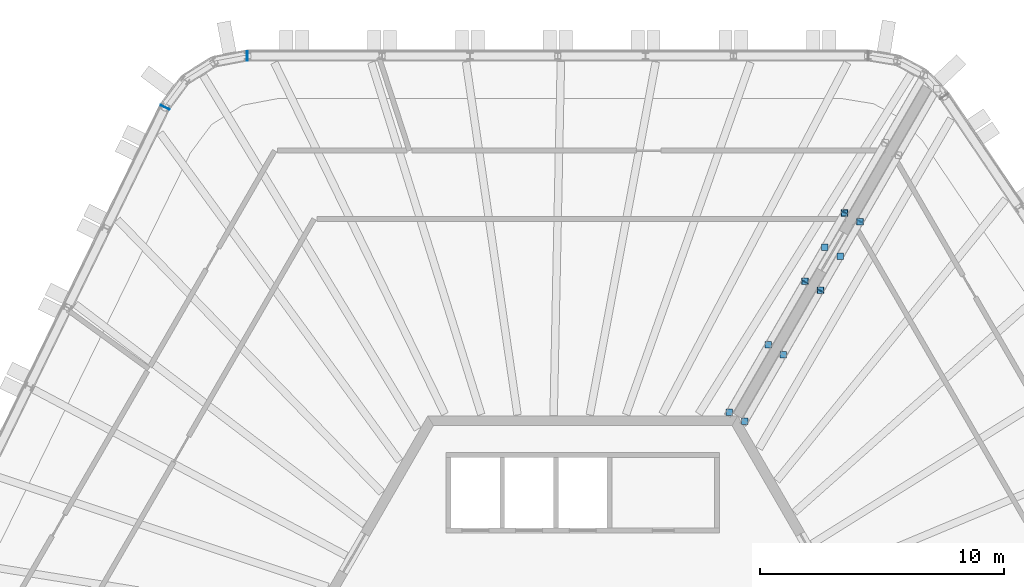
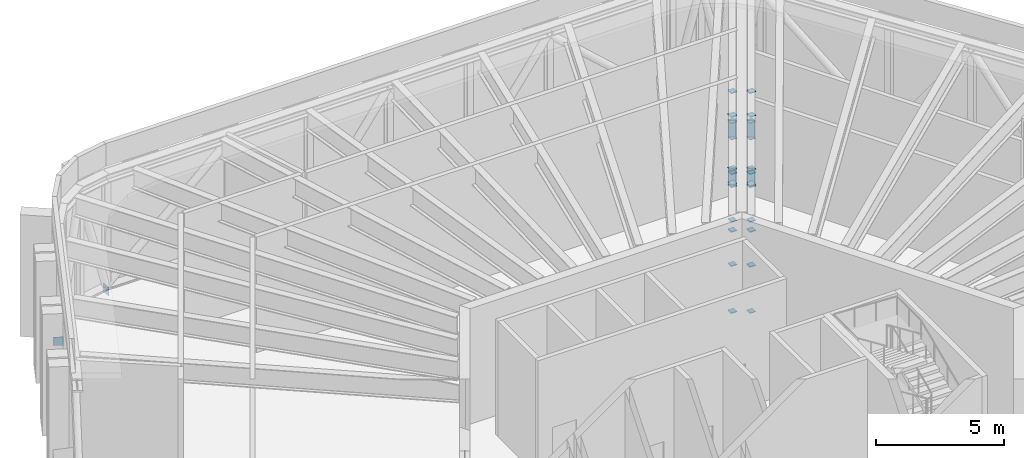
# One storey, part 16 of 19: 30 discrete accessories.
"""IFC4 building model written with IfcOpenShell, lengths in metres."""

from ifc_helpers import new_model, si_unit, direction, frame, origin, origin_2d, place, context, subcontext, project, spatial, rectangle, extrude, material, type_object, element, save


model = new_model("IFC4")

# Units and contexts
model_context = context("Model", 3, precision=1e-05, world=origin(), true_north=direction((0.0, 1.0)))
body_context = subcontext(model_context, "Body", "Model", "MODEL_VIEW")
ifc_project = project(units=[si_unit("LENGTHUNIT", "METRE"), si_unit("AREAUNIT", "SQUARE_METRE"), si_unit("VOLUMEUNIT", "CUBIC_METRE"), si_unit("PLANEANGLEUNIT", "RADIAN"), si_unit("MASSUNIT", "GRAM", prefix="KILO")], contexts=[model_context])

# Site, building, storey
site_placement = place(None, origin())
site = spatial("IfcSite", under=ifc_project, at=site_placement, CompositionType="ELEMENT")
building_placement = place(site_placement, origin())
building = spatial("IfcBuilding", under=site, at=building_placement, Name="Tarnside Tower", CompositionType="ELEMENT")
storey_placement = place(building_placement, frame((0.0, 0.0, 343.5)))
storey = spatial("IfcBuildingStorey", under=building, at=storey_placement, Name="L83", CompositionType="ELEMENT", Elevation=343.5)

# Discrete accessories
ifc_material = material(Name="Steel S355", Category="steel")
discrete_accessory_type_1 = type_object("IfcDiscreteAccessoryType", Name="Cast-in plate L83 belt truss chord end", PredefinedType="USERDEFINED", material=ifc_material)
for number, where, z_axis, x_axis, name in (
    (1, (-13.7470703125, 25.75, -0.300048828125), (0.0, 0.0, 1.0), (-1.0, 0.0, 0.0), "Cast-in plate run L83 B"),
    (2, (-17.11767578125, 23.643798828125, -0.300048828125), (0.0, 0.0, 1.0), (-0.438371146789, -0.898794046299, 0.0), "Cast-in plate run L83 A"),
):
    element("IfcDiscreteAccessory", number, at=place(storey_placement, frame(where, z_axis=z_axis, x_axis=x_axis)), inside=storey, type_object=discrete_accessory_type_1, Name=name, ObjectType="Cast-in plate", PredefinedType="USERDEFINED", context=body_context, shape_type="SweptSolid", body=[
        extrude(rectangle(XDim=0.030029296875, YDim=0.39892578125, at=origin_2d()), origin(), (0.0, 0.0, 1.0), 0.3935546875),
    ])
discrete_accessory_type_2 = type_object("IfcDiscreteAccessoryType", Name="Gusset plate L83 outrigger end 261", PredefinedType="USERDEFINED", material=ifc_material)
for number, where, z_axis, x_axis, name in (
    (3, (6.01123046875, 11.1435546875, 0.8046875), (0.0, 0.0, 1.0), (1.0, 0.0, 0.0), "Gusset plate 3 L83"),
    (4, (6.01123046875, 11.1435546875, 4.6650390625), (0.0, 0.0, 1.0), (1.0, 0.0, 0.0), "Gusset plate 4 L83"),
    (5, (7.60693359375, 13.907470703125, 0.8046875), (0.0, 0.0, 1.0), (1.0, 0.0, 0.0), "Gusset plate 5 L83"),
    (6, (7.60693359375, 13.907470703125, 4.6650390625), (0.0, 0.0, 1.0), (1.0, 0.0, 0.0), "Gusset plate 6 L83"),
    (7, (9.111083984375, 16.512451171875, 0.8046875), (0.0, 0.0, 1.0), (1.0, 0.0, 0.0), "Gusset plate 7 L83"),
    (8, (9.111083984375, 16.512451171875, 2.4501953125), (0.0, 0.0, 1.0), (1.0, 0.0, 0.0), "Gusset plate 8 L83"),
    (9, (10.729248046875, 19.3154296875, 0.8046875), (0.0, 0.0, 1.0), (1.0, 0.0, 0.0), "Gusset plate 9 L83"),
    (10, (10.729248046875, 19.3154296875, 2.4501953125), (0.0, 0.0, 1.0), (1.0, 0.0, 0.0), "Gusset plate 10 L83"),
    (11, (6.64501953125, 10.77783203125, 0.8046875), (0.0, 0.0, 1.0), (1.0, 0.0, 0.0), "Gusset plate 20 L83"),
    (12, (6.64501953125, 10.77783203125, 4.6650390625), (0.0, 0.0, 1.0), (1.0, 0.0, 0.0), "Gusset plate 21 L83"),
    (13, (8.21875, 13.503662109375, 0.8046875), (0.0, 0.0, 1.0), (1.0, 0.0, 0.0), "Gusset plate 22 L83"),
    (14, (8.21875, 13.503662109375, 4.6650390625), (0.0, 0.0, 1.0), (1.0, 0.0, 0.0), "Gusset plate 23 L83"),
    (15, (9.74462890625, 16.146484375, 0.8046875), (0.0, 0.0, 1.0), (1.0, 0.0, 0.0), "Gusset plate 24 L83"),
    (16, (9.74462890625, 16.146484375, 2.4501953125), (0.0, 0.0, 1.0), (1.0, 0.0, 0.0), "Gusset plate 25 L83"),
    (17, (11.363037109375, 18.949462890625, 0.8046875), (0.0, 0.0, 1.0), (1.0, 0.0, 0.0), "Gusset plate 26 L83"),
    (18, (11.363037109375, 18.949462890625, 2.4501953125), (0.0, 0.0, 1.0), (1.0, 0.0, 0.0), "Gusset plate 27 L83"),
):
    element("IfcDiscreteAccessory", number, at=place(storey_placement, frame(where, z_axis=z_axis, x_axis=x_axis)), inside=storey, type_object=discrete_accessory_type_2, Name=name, ObjectType="Gusset plate", PredefinedType="USERDEFINED", context=body_context, shape_type="SweptSolid", body=[
        extrude(rectangle(XDim=0.26123046875, YDim=0.26123046875, at=origin_2d()), origin(), (0.0, 0.0, 1.0), 0.030029296875),
    ])
discrete_accessory_type_3 = type_object("IfcDiscreteAccessoryType", Name="Gusset plate L83 outrigger end 273", PredefinedType="USERDEFINED", material=ifc_material)
for number, where, z_axis, x_axis, name in (
    (19, (9.111083984375, 16.512451171875, 3.2548828125), (0.0, 0.0, 1.0), (1.0, 0.0, 0.0), "Gusset plate 13 L83"),
    (20, (9.920166015625, 17.913818359375, 4.6650390625), (0.0, 0.0, 1.0), (1.0, 0.0, 0.0), "Gusset plate 14 L83"),
    (21, (10.729248046875, 19.3154296875, 3.2548828125), (0.0, 0.0, 1.0), (1.0, 0.0, 0.0), "Gusset plate 15 L83"),
    (22, (10.729248046875, 19.3154296875, 4.6650390625), (0.0, 0.0, 1.0), (1.0, 0.0, 0.0), "Gusset plate 16 L83"),
    (23, (9.74462890625, 16.146484375, 3.2548828125), (0.0, 0.0, 1.0), (1.0, 0.0, 0.0), "Gusset plate 30 L83"),
    (24, (10.5537109375, 17.548095703125, 4.6650390625), (0.0, 0.0, 1.0), (1.0, 0.0, 0.0), "Gusset plate 31 L83"),
    (25, (11.363037109375, 18.949462890625, 3.2548828125), (0.0, 0.0, 1.0), (1.0, 0.0, 0.0), "Gusset plate 32 L83"),
    (26, (11.363037109375, 18.949462890625, 4.6650390625), (0.0, 0.0, 1.0), (1.0, 0.0, 0.0), "Gusset plate 33 L83"),
):
    element("IfcDiscreteAccessory", number, at=place(storey_placement, frame(where, z_axis=z_axis, x_axis=x_axis)), inside=storey, type_object=discrete_accessory_type_3, Name=name, ObjectType="Gusset plate", PredefinedType="USERDEFINED", context=body_context, shape_type="SweptSolid", body=[
        extrude(rectangle(XDim=0.27294921875, YDim=0.27294921875, at=origin_2d()), origin(), (0.0, 0.0, 1.0), 0.030029296875),
    ])
discrete_accessory_type_4 = type_object("IfcDiscreteAccessoryType", Name="Gusset plate L83 outrigger end 292", PredefinedType="USERDEFINED", material=ifc_material)
for number, where, z_axis, x_axis, name in (
    (27, (9.103515625, 16.49951171875, 2.449951171875), (0.0, 0.0, 1.0), (-0.499996976998, -0.866027149108, 0.0), "Gusset plate 1 L83"),
    (28, (10.73681640625, 19.328369140625, 2.449951171875), (0.0, 0.0, 1.0), (0.499996976998, 0.866027149108, 0.0), "Gusset plate 2 L83"),
    (29, (9.737060546875, 16.133544921875, 2.449951171875), (0.0, 0.0, 1.0), (-0.500019649364, -0.866014058921, 0.0), "Gusset plate 18 L83"),
    (30, (11.37060546875, 18.96240234375, 2.449951171875), (0.0, 0.0, 1.0), (0.500019649364, 0.866014058921, 0.0), "Gusset plate 19 L83"),
):
    element("IfcDiscreteAccessory", number, at=place(storey_placement, frame(where, z_axis=z_axis, x_axis=x_axis)), inside=storey, type_object=discrete_accessory_type_4, Name=name, ObjectType="Gusset plate", PredefinedType="USERDEFINED", context=body_context, shape_type="SweptSolid", body=[
        extrude(rectangle(XDim=0.030029296875, YDim=0.291748046875, at=origin_2d()), origin(), (0.0, 0.0, 1.0), 0.8349609375),
    ])

save(model, "model.ifc")
